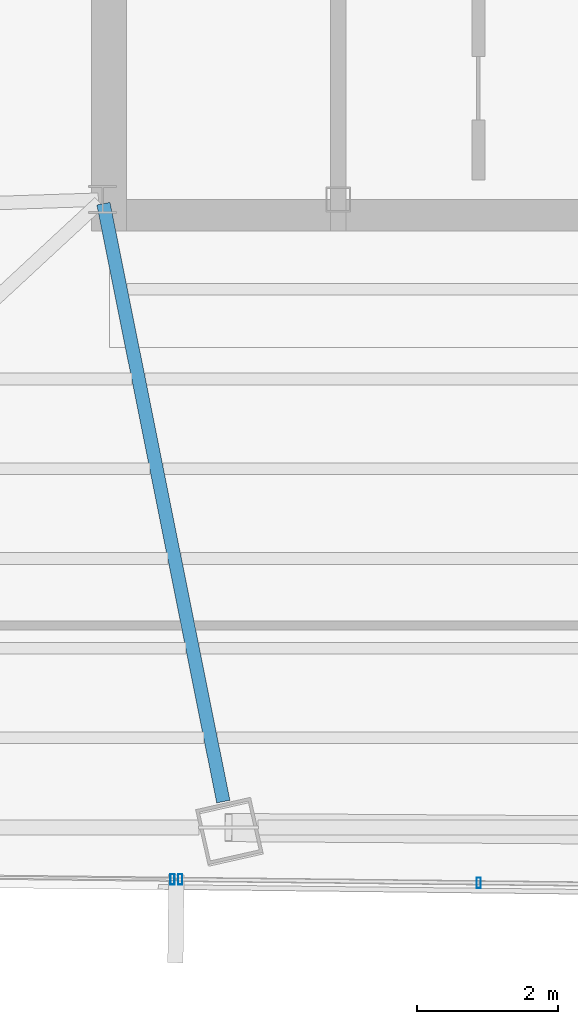
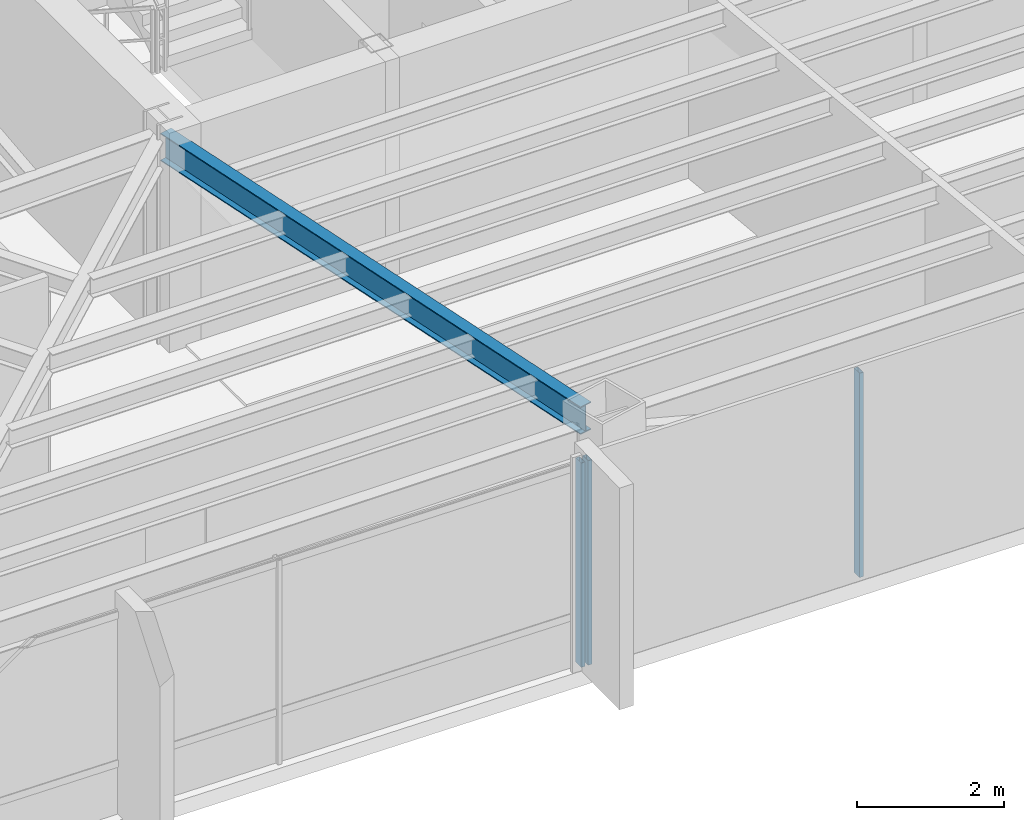
# One storey, part 9 of 41: 3 members, 1 beam, 2 elements without a shape of their own.
"""IFC4 building model written with IfcOpenShell, lengths in metres."""

from ifc_helpers import new_model, si_unit, direction, frame, origin, origin_2d, place, context, subcontext, project, spatial, hollow_rectangle, i_section, extrude, source, transform, mapped, material, material_profile, profile_set, type_object, type_shapes, element, aggregate, save


model = new_model("IFC4")

# Units and contexts
model_context = context("Model", 3, precision=1e-05, world=origin(), true_north=direction((0.0, 1.0)))
body_context = subcontext(model_context, "Body", "Model", "MODEL_VIEW")
ifc_project = project(units=[si_unit("LENGTHUNIT", "METRE"), si_unit("AREAUNIT", "SQUARE_METRE"), si_unit("VOLUMEUNIT", "CUBIC_METRE"), si_unit("PLANEANGLEUNIT", "RADIAN"), si_unit("MASSUNIT", "GRAM", prefix="KILO")], contexts=[model_context])

# Site, building, storey
site_placement = place(None, origin())
site = spatial("IfcSite", under=ifc_project, at=site_placement, CompositionType="ELEMENT")
building_placement = place(site_placement, origin())
building = spatial("IfcBuilding", under=site, at=building_placement, Name="Caelisora Broadcast Tower", CompositionType="ELEMENT")
storey_placement = place(building_placement, frame((0.0, 0.0, 209.60009765625)))
storey = spatial("IfcBuildingStorey", under=building, at=storey_placement, Name="L55", CompositionType="ELEMENT", Elevation=209.60009765625)

# Beam
ifc_material_1 = material(Name="Steel Grade 350 (AS/NZS 3679.1)", Category="steel")
ifc_material_profile_1 = material_profile(ifc_material_1, i_section(OverallWidth=0.19091796875, OverallDepth=0.46044921875, WebThickness=0.010009765625, FlangeThickness=0.01611328125, at=origin_2d()), Name="Steel Grade 350 (AS/NZS 3679.1)")
ifc_profile_set_1 = profile_set([ifc_material_profile_1], Name="Steel Grade 350 (AS/NZS 3679.1)")
beam_type = type_object("IfcBeamType", Name="PG06", PredefinedType="BEAM", material=ifc_profile_set_1)
shared_shape_1 = source(origin(), body_context, "Body", "SweptSolid", [
    extrude(i_section(OverallWidth=0.19091796875, OverallDepth=0.46044921875, WebThickness=0.010009765625, FlangeThickness=0.01611328125, at=origin_2d()), origin(), (0.0, 0.0, 1.0), 8.66455078125),
])
type_shapes(beam_type, [shared_shape_1])
beam_placement = place(storey_placement, frame((30.51171875, 17.34130859375, 3.169677734375), z_axis=(0.196592958411, -0.980485190456, 0.0), x_axis=(0.980485190456, 0.196592958411, 0.0)))
element("IfcBeam", 1, at=beam_placement, inside=storey, type_object=beam_type, Name="L55 beam PG06", PredefinedType="BEAM", context=body_context, shape_type="MappedRepresentation", body=[
    mapped(shared_shape_1, transform((0.0, 0.0, 0.0), scale=1.0)),
])

# Curtain wall, members
ifc_material_2 = material(Name="Unitised Aluminium Insulated Shadow-Box Spandrel Curtain Wall", Category="aluminium")
curtain_wall_type_1 = type_object("IfcCurtainWallType", Name="CW-SP2", PredefinedType="NOTDEFINED", material=ifc_material_2)
curtain_wall_1_placement = place(storey_placement, origin())
curtain_wall_1 = element("IfcCurtainWall", 2, at=curtain_wall_1_placement, inside=storey, type_object=curtain_wall_type_1, Name="L55 curtain wall CW-SP2", PredefinedType="NOTDEFINED")
ifc_material_3 = material(Name="Aluminium 6063-T6 Anodised Terracotta Bronze", Category="aluminium")
ifc_material_profile_2 = material_profile(ifc_material_3, hollow_rectangle(XDim=0.06005859375, YDim=0.14990234375, WallThickness=0.00341796875, at=origin_2d()), Name="Aluminium 6063-T6 Anodised Terracotta Bronze")
ifc_profile_set_2 = profile_set([ifc_material_profile_2], Name="Aluminium 6063-T6 Anodised Terracotta Bronze")
member_type = type_object("IfcMemberType", Name="CWM-03", PredefinedType="MULLION", material=ifc_profile_set_2)
shared_shape_2 = source(origin(), body_context, "Body", "SweptSolid", [
    extrude(hollow_rectangle(XDim=0.06005859375, YDim=0.14990234375, WallThickness=0.00341796875, at=origin_2d()), origin(), (0.0, 0.0, 1.0), 3.39990234375),
])
type_shapes(member_type, [shared_shape_2])
member_1_placement = place(storey_placement, frame((35.84521484375, 7.692626953125, 0.0), z_axis=(0.0, 0.0, 1.0), x_axis=(1.0, 0.0, 0.0)))
member_1 = element("IfcMember", 3, at=member_1_placement, type_object=member_type, Name="L55-CW-B06 mullion #2", PredefinedType="MULLION", context=body_context, shape_type="MappedRepresentation", body=[
    mapped(shared_shape_2, transform((0.0, 0.0, 0.0), scale=1.0)),
])
member_2_placement = place(storey_placement, frame((31.602783203125, 7.7412109375, 0.0), z_axis=(0.0, 0.0, 1.0), x_axis=(1.0, 0.0, 0.0)))
member_2 = element("IfcMember", 4, at=member_2_placement, type_object=member_type, Name="L55-CW-B06 mullion #3", PredefinedType="MULLION", context=body_context, shape_type="MappedRepresentation", body=[
    mapped(shared_shape_2, transform((0.0, 0.0, 0.0), scale=1.0)),
])
aggregate(curtain_wall_1, [member_1, member_2])

# Curtain wall, member
ifc_material_4 = material(Name="Unitised Aluminium and Low-E Glass Curtain Wall", Category="glass")
curtain_wall_type_2 = type_object("IfcCurtainWallType", Name="CW-Z4", PredefinedType="NOTDEFINED", material=ifc_material_4)
curtain_wall_2_placement = place(storey_placement, origin())
curtain_wall_2 = element("IfcCurtainWall", 5, at=curtain_wall_2_placement, inside=storey, type_object=curtain_wall_type_2, Name="L55 curtain wall CW-Z4", PredefinedType="NOTDEFINED")
member_3_placement = place(storey_placement, frame((31.492919921875, 7.742431640625, 0.0), z_axis=(0.0, 0.0, 1.0), x_axis=(1.0, 0.0, 0.0)))
member_3 = element("IfcMember", 6, at=member_3_placement, type_object=member_type, Name="L55-CW-B07 mullion #0", PredefinedType="MULLION", context=body_context, shape_type="MappedRepresentation", body=[
    mapped(shared_shape_2, transform((0.0, 0.0, 0.0), scale=1.0)),
])
aggregate(curtain_wall_2, [member_3])

save(model, "model.ifc")
